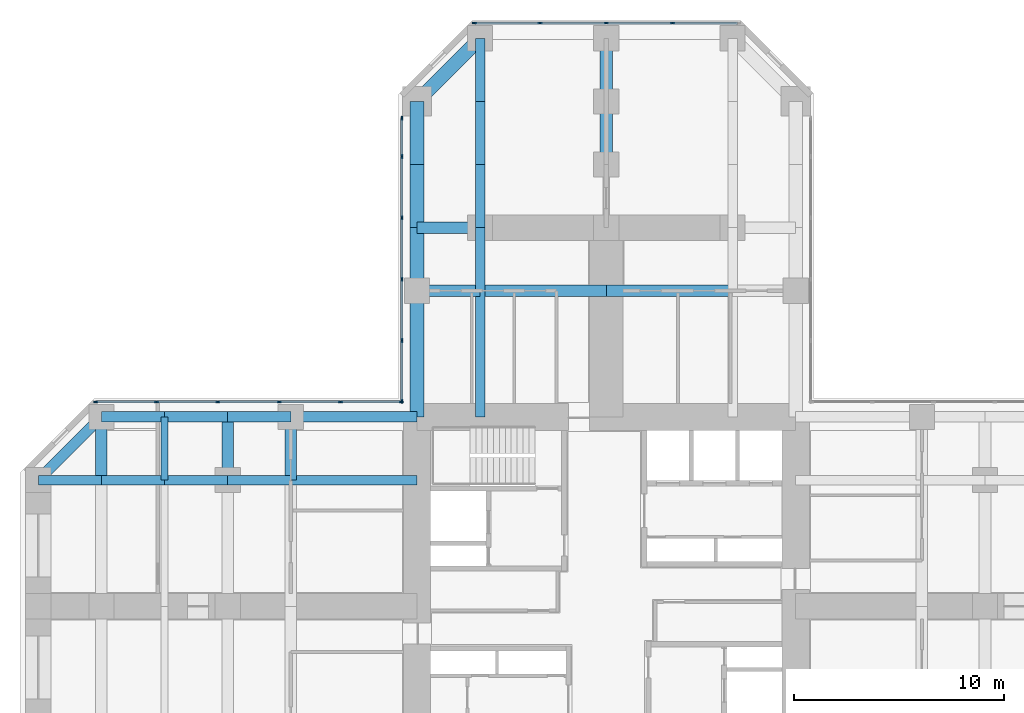
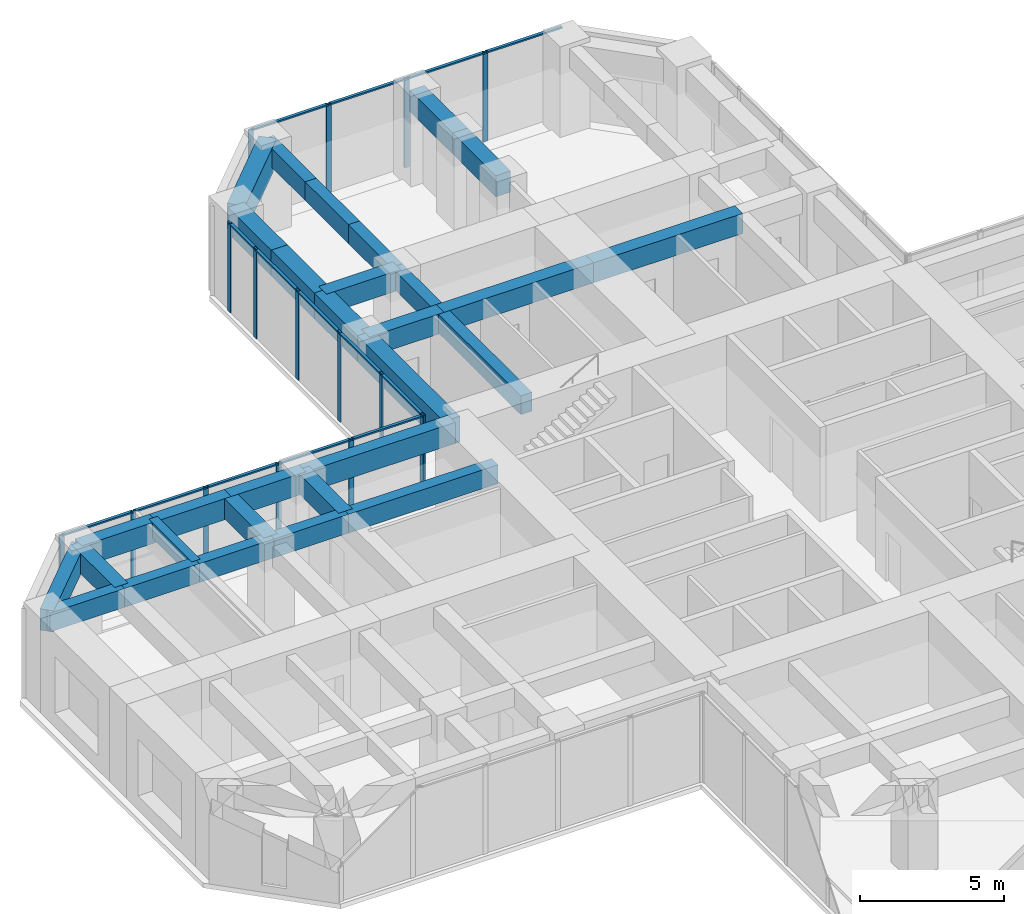
# One storey, part 5 of 12: 30 beams, 30 members, 3 elements without a shape of their own.
"""IFC4 building model written with IfcOpenShell, lengths in metres."""

from ifc_helpers import new_model, si_unit, direction, frame, origin, origin_2d, place, context, subcontext, project, spatial, rectangle, extrude, material, material_profile, profile_set, type_object, element, aggregate, save


model = new_model("IFC4")

# Units and contexts
model_context = context("Model", 3, precision=1e-05, world=origin(), true_north=direction((0.0, 1.0)))
body_context = subcontext(model_context, "Body", "Model", "MODEL_VIEW")
ifc_project = project(units=[si_unit("LENGTHUNIT", "METRE"), si_unit("AREAUNIT", "SQUARE_METRE"), si_unit("VOLUMEUNIT", "CUBIC_METRE"), si_unit("PLANEANGLEUNIT", "RADIAN"), si_unit("MASSUNIT", "GRAM", prefix="KILO")], contexts=[model_context])

# Site, building, storey
site_placement = place(None, origin())
site = spatial("IfcSite", under=ifc_project, at=site_placement, CompositionType="ELEMENT")
building_placement = place(site_placement, origin())
building = spatial("IfcBuilding", under=site, at=building_placement, Name="Torre Cruceta", CompositionType="ELEMENT")
storey_placement = place(building_placement, frame((0.0, 0.0, 83.5)))
storey = spatial("IfcBuildingStorey", under=building, at=storey_placement, Name="L20", CompositionType="ELEMENT", Elevation=83.5)

# Beams
ifc_material_1 = material(Name="Concrete G60 (fck 60 MPa)", Category="concrete")
ifc_material_profile_1 = material_profile(ifc_material_1, rectangle(XDim=0.60009765625, YDim=0.89990234375, at=origin_2d()), Name="RC 600X900")
ifc_profile_set_1 = profile_set([ifc_material_profile_1], Name="Concrete G60 (fck 60 MPa)")
beam_type_1 = type_object("IfcBeamType", Name="ARM CENTRE BEAM RC 600X900", PredefinedType="BEAM", material=ifc_profile_set_1)
for number, where, z_axis, x_axis, name in (
    (1, (0.0, 21.0, 3.35009765625), (0.0, 1.0, 0.0), (-1.0, 0.0, 0.0), "MB3 L20 N centre 1"),
    (2, (0.0, 24.0, 3.35009765625), (0.0, 1.0, 0.0), (-1.0, 0.0, 0.0), "MB3 L20 N centre 2"),
):
    element("IfcBeam", number, at=place(storey_placement, frame(where, z_axis=z_axis, x_axis=x_axis)), inside=storey, type_object=beam_type_1, Name=name, PredefinedType="BEAM", context=body_context, shape_type="SweptSolid", body=[
        extrude(rectangle(XDim=0.60009765625, YDim=0.89990234375, at=origin_2d()), origin(), (0.0, 0.0, 1.0), 3.0),
    ])
ifc_material_2 = material(Name="Concrete G60 (fck 60 MPa)", Category="concrete")
ifc_material_profile_2 = material_profile(ifc_material_2, rectangle(XDim=0.449951171875, YDim=0.800048828125, at=origin_2d()), Name="RC 450X800")
ifc_profile_set_2 = profile_set([ifc_material_profile_2], Name="Concrete G60 (fck 60 MPa)")
beam_type_2 = type_object("IfcBeamType", Name="COLUMN LINE BEAM RC 450X800", PredefinedType="BEAM", material=ifc_profile_set_2)
beam_1_placement = place(storey_placement, frame((-6.0, 9.0, 3.39990234375), z_axis=(0.0, 1.0, 0.0), x_axis=(-1.0, 0.0, 0.0)))
element("IfcBeam", 3, at=beam_1_placement, inside=storey, type_object=beam_type_2, Name="LB1 L20 N col+ 1", PredefinedType="BEAM", context=body_context, shape_type="SweptSolid", body=[
    extrude(rectangle(XDim=0.449951171875, YDim=0.800048828125, at=origin_2d()), origin(), (0.0, 0.0, 1.0), 6.0),
])
for number, where, z_axis, x_axis, name in (
    (4, (-6.0, 15.0, 3.39990234375), (0.0, 1.0, 0.0), (-1.0, 0.0, 0.0), "LB1 L20 N col+ 2"),
    (5, (-6.0, 18.0, 3.39990234375), (0.0, 1.0, 0.0), (-1.0, 0.0, 0.0), "LB1 L20 N col+ 3"),
    (6, (-6.0, 21.0, 3.39990234375), (0.0, 1.0, 0.0), (-1.0, 0.0, 0.0), "LB1 L20 N col+ 4"),
    (7, (-6.0, 24.0, 3.39990234375), (0.0, 1.0, 0.0), (-1.0, 0.0, 0.0), "LB1 L20 N col+ 5"),
):
    element("IfcBeam", number, at=place(storey_placement, frame(where, z_axis=z_axis, x_axis=x_axis)), inside=storey, type_object=beam_type_2, Name=name, PredefinedType="BEAM", context=body_context, shape_type="SweptSolid", body=[
        extrude(rectangle(XDim=0.449951171875, YDim=0.800048828125, at=origin_2d()), origin(), (0.0, 0.0, 1.0), 3.0),
    ])
beam_2_placement = place(storey_placement, frame((-9.0, 6.0, 3.39990234375), z_axis=(-1.0, 0.0, 0.0), x_axis=(0.0, -1.0, 0.0)))
element("IfcBeam", 8, at=beam_2_placement, inside=storey, type_object=beam_type_2, Name="LB1 L20 W col- 1", PredefinedType="BEAM", context=body_context, shape_type="SweptSolid", body=[
    extrude(rectangle(XDim=0.449951171875, YDim=0.800048828125, at=origin_2d()), origin(), (0.0, 0.0, 1.0), 6.0),
])
for number, where, z_axis, x_axis, name in (
    (9, (-15.0, 6.0, 3.39990234375), (-1.0, 0.0, 0.0), (0.0, -1.0, 0.0), "LB1 L20 W col- 2"),
    (10, (-18.0, 6.0, 3.39990234375), (-1.0, 0.0, 0.0), (0.0, -1.0, 0.0), "LB1 L20 W col- 3"),
    (11, (-21.0, 6.0, 3.39990234375), (-1.0, 0.0, 0.0), (0.0, -1.0, 0.0), "LB1 L20 W col- 4"),
    (12, (-24.0, 6.0, 3.39990234375), (-1.0, 0.0, 0.0), (0.0, -1.0, 0.0), "LB1 L20 W col- 5"),
):
    element("IfcBeam", number, at=place(storey_placement, frame(where, z_axis=z_axis, x_axis=x_axis)), inside=storey, type_object=beam_type_2, Name=name, PredefinedType="BEAM", context=body_context, shape_type="SweptSolid", body=[
        extrude(rectangle(XDim=0.449951171875, YDim=0.800048828125, at=origin_2d()), origin(), (0.0, 0.0, 1.0), 3.0),
    ])
ifc_material_3 = material(Name="Concrete G60 (fck 60 MPa)", Category="concrete")
ifc_material_profile_3 = material_profile(ifc_material_3, rectangle(XDim=0.550048828125, YDim=0.85009765625, at=origin_2d()), Name="RC 550X850")
ifc_profile_set_3 = profile_set([ifc_material_profile_3], Name="Concrete G60 (fck 60 MPa)")
beam_type_3 = type_object("IfcBeamType", Name="CROSS BEAM RC 550X850", PredefinedType="BEAM", material=ifc_profile_set_3)
for number, where, z_axis, x_axis, name in (
    (13, (6.0, 15.0, 3.375), (-1.0, 0.0, 0.0), (0.0, -1.0, 0.0), "GB4 L20 N cross15 2"),
    (14, (0.0, 15.0, 3.375), (-1.0, 0.0, 0.0), (0.0, -1.0, 0.0), "GB4 L20 N cross15 3"),
):
    element("IfcBeam", number, at=place(storey_placement, frame(where, z_axis=z_axis, x_axis=x_axis)), inside=storey, type_object=beam_type_3, Name=name, PredefinedType="BEAM", context=body_context, shape_type="SweptSolid", body=[
        extrude(rectangle(XDim=0.550048828125, YDim=0.85009765625, at=origin_2d()), origin(), (0.0, 0.0, 1.0), 6.0),
    ])
for number, where, z_axis, x_axis, name in (
    (15, (-6.0, 15.0, 3.375), (-1.0, 0.0, 0.0), (0.0, -1.0, 0.0), "GB4 L20 N cross15 4"),
    (16, (-6.0, 18.0, 3.375), (-1.0, 0.0, 0.0), (0.0, -1.0, 0.0), "GB4 L20 N cross18b 1"),
    (17, (-15.0, 9.0, 3.375), (0.0, -1.0, 0.0), (1.0, 0.0, 0.0), "GB4 L20 W cross15 1"),
    (18, (-18.0, 9.0, 3.375), (0.0, -1.0, 0.0), (1.0, 0.0, 0.0), "GB4 L20 W cross18 1"),
    (19, (-24.0, 9.0, 3.375), (0.0, -1.0, 0.0), (1.0, 0.0, 0.0), "GB4 L20 W cross24 1"),
):
    element("IfcBeam", number, at=place(storey_placement, frame(where, z_axis=z_axis, x_axis=x_axis)), inside=storey, type_object=beam_type_3, Name=name, PredefinedType="BEAM", context=body_context, shape_type="SweptSolid", body=[
        extrude(rectangle(XDim=0.550048828125, YDim=0.85009765625, at=origin_2d()), origin(), (0.0, 0.0, 1.0), 3.0),
    ])

# Curtain wall, members
ifc_material_4 = material(Name="Aluminium unitised curtain wall", Category="aluminium")
curtain_wall_type = type_object("IfcCurtainWallType", Name="CURTAIN WALL CW-A OFFICE LOW RISE", PredefinedType="USERDEFINED", material=ifc_material_4)
curtain_wall_1_placement = place(storey_placement, origin())
curtain_wall_1 = element("IfcCurtainWall", 20, at=curtain_wall_1_placement, inside=storey, type_object=curtain_wall_type, Name="CW-A L20 N tip 07", ObjectType="UNITISED", PredefinedType="USERDEFINED")
ifc_material_5 = material(Name="Aluminium mullion", Category="aluminium")
ifc_material_profile_4 = material_profile(ifc_material_5, rectangle(XDim=0.06494140625, YDim=0.199951171875, at=origin_2d()), Name="AL 65X200")
ifc_profile_set_4 = profile_set([ifc_material_profile_4], Name="Aluminium mullion")
member_type_1 = type_object("IfcMemberType", Name="CW-A MULLION 65X200", PredefinedType="MULLION", material=ifc_profile_set_4)
member_1_placement = place(storey_placement, frame((3.149169921875, 27.719970703125, 0.0), z_axis=(0.0, 0.0, 1.0), x_axis=(0.0, -1.0, 0.0)))
member_1 = element("IfcMember", 21, at=member_1_placement, type_object=member_type_1, Name="CW-A mullion 2", PredefinedType="MULLION", context=body_context, shape_type="SweptSolid", body=[
    extrude(rectangle(XDim=0.06494140625, YDim=0.199951171875, at=origin_2d()), origin(), (0.0, 0.0, 1.0), 3.800048828125),
])
member_2_placement = place(storey_placement, frame((0.0, 27.719970703125, 0.0), z_axis=(0.0, 0.0, 1.0), x_axis=(0.0, -1.0, 0.0)))
member_2 = element("IfcMember", 22, at=member_2_placement, type_object=member_type_1, Name="CW-A mullion 3", PredefinedType="MULLION", context=body_context, shape_type="SweptSolid", body=[
    extrude(rectangle(XDim=0.06494140625, YDim=0.199951171875, at=origin_2d()), origin(), (0.0, 0.0, 1.0), 3.800048828125),
])
member_3_placement = place(storey_placement, frame((-3.149169921875, 27.719970703125, 0.0), z_axis=(0.0, 0.0, 1.0), x_axis=(0.0, -1.0, 0.0)))
member_3 = element("IfcMember", 23, at=member_3_placement, type_object=member_type_1, Name="CW-A mullion 4", PredefinedType="MULLION", context=body_context, shape_type="SweptSolid", body=[
    extrude(rectangle(XDim=0.06494140625, YDim=0.199951171875, at=origin_2d()), origin(), (0.0, 0.0, 1.0), 3.800048828125),
])
member_4_placement = place(storey_placement, frame((-6.265625, 27.719970703125, 0.0), z_axis=(0.0, 0.0, 1.0), x_axis=(0.0, -1.0, 0.0)))
member_4 = element("IfcMember", 24, at=member_4_placement, type_object=member_type_1, Name="CW-A mullion 5", PredefinedType="MULLION", context=body_context, shape_type="SweptSolid", body=[
    extrude(rectangle(XDim=0.06494140625, YDim=0.199951171875, at=origin_2d()), origin(), (0.0, 0.0, 1.0), 3.800048828125),
])

curtain_wall_2_placement = place(storey_placement, origin())
curtain_wall_2 = element("IfcCurtainWall", 25, at=curtain_wall_2_placement, inside=storey, type_object=curtain_wall_type, Name="CW-A L20 N side 09", ObjectType="UNITISED", PredefinedType="USERDEFINED")
member_5_placement = place(storey_placement, frame((-9.719970703125, 23.198974609375, 0.0), z_axis=(0.0, 0.0, 1.0), x_axis=(1.0, 0.0, 0.0)))
member_5 = element("IfcMember", 26, at=member_5_placement, type_object=member_type_1, Name="CW-A mullion 1", PredefinedType="MULLION", context=body_context, shape_type="SweptSolid", body=[
    extrude(rectangle(XDim=0.06494140625, YDim=0.199951171875, at=origin_2d()), origin(), (0.0, 0.0, 1.0), 3.800048828125),
])
member_6_placement = place(storey_placement, frame((-9.719970703125, 21.382568359375, 0.0), z_axis=(0.0, 0.0, 1.0), x_axis=(1.0, 0.0, 0.0)))
member_6 = element("IfcMember", 27, at=member_6_placement, type_object=member_type_1, Name="CW-A mullion 2", PredefinedType="MULLION", context=body_context, shape_type="SweptSolid", body=[
    extrude(rectangle(XDim=0.06494140625, YDim=0.199951171875, at=origin_2d()), origin(), (0.0, 0.0, 1.0), 3.800048828125),
])
member_7_placement = place(storey_placement, frame((-9.719970703125, 18.467041015625, 0.0), z_axis=(0.0, 0.0, 1.0), x_axis=(1.0, 0.0, 0.0)))
member_7 = element("IfcMember", 28, at=member_7_placement, type_object=member_type_1, Name="CW-A mullion 3", PredefinedType="MULLION", context=body_context, shape_type="SweptSolid", body=[
    extrude(rectangle(XDim=0.06494140625, YDim=0.199951171875, at=origin_2d()), origin(), (0.0, 0.0, 1.0), 3.800048828125),
])
member_8_placement = place(storey_placement, frame((-9.719970703125, 15.55126953125, 0.0), z_axis=(0.0, 0.0, 1.0), x_axis=(1.0, 0.0, 0.0)))
member_8 = element("IfcMember", 29, at=member_8_placement, type_object=member_type_1, Name="CW-A mullion 4", PredefinedType="MULLION", context=body_context, shape_type="SweptSolid", body=[
    extrude(rectangle(XDim=0.06494140625, YDim=0.199951171875, at=origin_2d()), origin(), (0.0, 0.0, 1.0), 3.800048828125),
])
member_9_placement = place(storey_placement, frame((-9.719970703125, 12.6357421875, 0.0), z_axis=(0.0, 0.0, 1.0), x_axis=(1.0, 0.0, 0.0)))
member_9 = element("IfcMember", 30, at=member_9_placement, type_object=member_type_1, Name="CW-A mullion 5", PredefinedType="MULLION", context=body_context, shape_type="SweptSolid", body=[
    extrude(rectangle(XDim=0.06494140625, YDim=0.199951171875, at=origin_2d()), origin(), (0.0, 0.0, 1.0), 3.800048828125),
])
member_10_placement = place(storey_placement, frame((-9.719970703125, 9.75244140625, 0.0), z_axis=(0.0, 0.0, 1.0), x_axis=(1.0, 0.0, 0.0)))
member_10 = element("IfcMember", 31, at=member_10_placement, type_object=member_type_1, Name="CW-A mullion 6", PredefinedType="MULLION", context=body_context, shape_type="SweptSolid", body=[
    extrude(rectangle(XDim=0.06494140625, YDim=0.199951171875, at=origin_2d()), origin(), (0.0, 0.0, 1.0), 3.800048828125),
])

curtain_wall_3_placement = place(storey_placement, origin())
curtain_wall_3 = element("IfcCurtainWall", 32, at=curtain_wall_3_placement, inside=storey, type_object=curtain_wall_type, Name="CW-A L20 W side 10", ObjectType="UNITISED", PredefinedType="USERDEFINED")
member_11_placement = place(storey_placement, frame((-9.75244140625, 9.719970703125, 0.0), z_axis=(0.0, 0.0, 1.0), x_axis=(0.0, -1.0, 0.0)))
member_11 = element("IfcMember", 33, at=member_11_placement, type_object=member_type_1, Name="CW-A mullion 1", PredefinedType="MULLION", context=body_context, shape_type="SweptSolid", body=[
    extrude(rectangle(XDim=0.06494140625, YDim=0.199951171875, at=origin_2d()), origin(), (0.0, 0.0, 1.0), 3.800048828125),
])
member_12_placement = place(storey_placement, frame((-12.6357421875, 9.719970703125, 0.0), z_axis=(0.0, 0.0, 1.0), x_axis=(0.0, -1.0, 0.0)))
member_12 = element("IfcMember", 34, at=member_12_placement, type_object=member_type_1, Name="CW-A mullion 2", PredefinedType="MULLION", context=body_context, shape_type="SweptSolid", body=[
    extrude(rectangle(XDim=0.06494140625, YDim=0.199951171875, at=origin_2d()), origin(), (0.0, 0.0, 1.0), 3.800048828125),
])
member_13_placement = place(storey_placement, frame((-15.55126953125, 9.719970703125, 0.0), z_axis=(0.0, 0.0, 1.0), x_axis=(0.0, -1.0, 0.0)))
member_13 = element("IfcMember", 35, at=member_13_placement, type_object=member_type_1, Name="CW-A mullion 3", PredefinedType="MULLION", context=body_context, shape_type="SweptSolid", body=[
    extrude(rectangle(XDim=0.06494140625, YDim=0.199951171875, at=origin_2d()), origin(), (0.0, 0.0, 1.0), 3.800048828125),
])
member_14_placement = place(storey_placement, frame((-18.467041015625, 9.719970703125, 0.0), z_axis=(0.0, 0.0, 1.0), x_axis=(0.0, -1.0, 0.0)))
member_14 = element("IfcMember", 36, at=member_14_placement, type_object=member_type_1, Name="CW-A mullion 4", PredefinedType="MULLION", context=body_context, shape_type="SweptSolid", body=[
    extrude(rectangle(XDim=0.06494140625, YDim=0.199951171875, at=origin_2d()), origin(), (0.0, 0.0, 1.0), 3.800048828125),
])
member_15_placement = place(storey_placement, frame((-21.382568359375, 9.719970703125, 0.0), z_axis=(0.0, 0.0, 1.0), x_axis=(0.0, -1.0, 0.0)))
member_15 = element("IfcMember", 37, at=member_15_placement, type_object=member_type_1, Name="CW-A mullion 5", PredefinedType="MULLION", context=body_context, shape_type="SweptSolid", body=[
    extrude(rectangle(XDim=0.06494140625, YDim=0.199951171875, at=origin_2d()), origin(), (0.0, 0.0, 1.0), 3.800048828125),
])
member_16_placement = place(storey_placement, frame((-24.265625, 9.719970703125, 0.0), z_axis=(0.0, 0.0, 1.0), x_axis=(0.0, -1.0, 0.0)))
member_16 = element("IfcMember", 38, at=member_16_placement, type_object=member_type_1, Name="CW-A mullion 6", PredefinedType="MULLION", context=body_context, shape_type="SweptSolid", body=[
    extrude(rectangle(XDim=0.06494140625, YDim=0.199951171875, at=origin_2d()), origin(), (0.0, 0.0, 1.0), 3.800048828125),
])

# Member
ifc_material_6 = material(Name="Aluminium transom", Category="aluminium")
ifc_material_profile_5 = material_profile(ifc_material_6, rectangle(XDim=0.1201171875, YDim=0.06494140625, at=origin_2d()), Name="AL 120X65")
ifc_profile_set_5 = profile_set([ifc_material_profile_5], Name="Aluminium transom")
member_type_2 = type_object("IfcMemberType", Name="CW-A TRANSOM 65X120", PredefinedType="USERDEFINED", material=ifc_profile_set_5)
member_17_placement = place(storey_placement, frame((6.233154296875, 27.719970703125, 3.767578125), z_axis=(-1.0, 0.0, 0.0), x_axis=(0.0, -1.0, 0.0)))
member_17 = element("IfcMember", 39, at=member_17_placement, type_object=member_type_2, Name="CW-A transom 1", ObjectType="TRANSOM", PredefinedType="USERDEFINED", context=body_context, shape_type="SweptSolid", body=[
    extrude(rectangle(XDim=0.1201171875, YDim=0.06494140625, at=origin_2d()), origin(), (0.0, 0.0, 1.0), 3.051513671875),
])

member_18_placement = place(storey_placement, frame((3.11669921875, 27.719970703125, 3.767578125), z_axis=(-1.0, 0.0, 0.0), x_axis=(0.0, -1.0, 0.0)))
member_18 = element("IfcMember", 40, at=member_18_placement, type_object=member_type_2, Name="CW-A transom 2", ObjectType="TRANSOM", PredefinedType="USERDEFINED", context=body_context, shape_type="SweptSolid", body=[
    extrude(rectangle(XDim=0.1201171875, YDim=0.06494140625, at=origin_2d()), origin(), (0.0, 0.0, 1.0), 3.084228515625),
])

member_19_placement = place(storey_placement, frame((-0.032470703125, 27.719970703125, 3.767578125), z_axis=(-1.0, 0.0, 0.0), x_axis=(0.0, -1.0, 0.0)))
member_19 = element("IfcMember", 41, at=member_19_placement, type_object=member_type_2, Name="CW-A transom 3", ObjectType="TRANSOM", PredefinedType="USERDEFINED", context=body_context, shape_type="SweptSolid", body=[
    extrude(rectangle(XDim=0.1201171875, YDim=0.06494140625, at=origin_2d()), origin(), (0.0, 0.0, 1.0), 3.084228515625),
])

member_20_placement = place(storey_placement, frame((-3.181640625, 27.719970703125, 3.767578125), z_axis=(-1.0, 0.0, 0.0), x_axis=(0.0, -1.0, 0.0)))
member_20 = element("IfcMember", 42, at=member_20_placement, type_object=member_type_2, Name="CW-A transom 4", ObjectType="TRANSOM", PredefinedType="USERDEFINED", context=body_context, shape_type="SweptSolid", body=[
    extrude(rectangle(XDim=0.1201171875, YDim=0.06494140625, at=origin_2d()), origin(), (0.0, 0.0, 1.0), 3.051513671875),
])

aggregate(curtain_wall_1, [member_1, member_2, member_3, member_4, member_17, member_18, member_19, member_20])

member_21_placement = place(storey_placement, frame((-9.719970703125, 23.16650390625, 3.767578125), z_axis=(0.0, -1.0, 0.0), x_axis=(1.0, 0.0, 0.0)))
member_21 = element("IfcMember", 43, at=member_21_placement, type_object=member_type_2, Name="CW-A transom 1", ObjectType="TRANSOM", PredefinedType="USERDEFINED", context=body_context, shape_type="SweptSolid", body=[
    extrude(rectangle(XDim=0.1201171875, YDim=0.06494140625, at=origin_2d()), origin(), (0.0, 0.0, 1.0), 1.75146484375),
])

member_22_placement = place(storey_placement, frame((-9.719970703125, 21.35009765625, 3.767578125), z_axis=(0.0, -1.0, 0.0), x_axis=(1.0, 0.0, 0.0)))
member_22 = element("IfcMember", 44, at=member_22_placement, type_object=member_type_2, Name="CW-A transom 2", ObjectType="TRANSOM", PredefinedType="USERDEFINED", context=body_context, shape_type="SweptSolid", body=[
    extrude(rectangle(XDim=0.1201171875, YDim=0.06494140625, at=origin_2d()), origin(), (0.0, 0.0, 1.0), 2.8505859375),
])

member_23_placement = place(storey_placement, frame((-9.719970703125, 18.434326171875, 3.767578125), z_axis=(0.0, -1.0, 0.0), x_axis=(1.0, 0.0, 0.0)))
member_23 = element("IfcMember", 45, at=member_23_placement, type_object=member_type_2, Name="CW-A transom 3", ObjectType="TRANSOM", PredefinedType="USERDEFINED", context=body_context, shape_type="SweptSolid", body=[
    extrude(rectangle(XDim=0.1201171875, YDim=0.06494140625, at=origin_2d()), origin(), (0.0, 0.0, 1.0), 2.8505859375),
])

member_24_placement = place(storey_placement, frame((-9.719970703125, 15.518798828125, 3.767578125), z_axis=(0.0, -1.0, 0.0), x_axis=(1.0, 0.0, 0.0)))
member_24 = element("IfcMember", 46, at=member_24_placement, type_object=member_type_2, Name="CW-A transom 4", ObjectType="TRANSOM", PredefinedType="USERDEFINED", context=body_context, shape_type="SweptSolid", body=[
    extrude(rectangle(XDim=0.1201171875, YDim=0.06494140625, at=origin_2d()), origin(), (0.0, 0.0, 1.0), 2.8505859375),
])

member_25_placement = place(storey_placement, frame((-9.719970703125, 12.60302734375, 3.767578125), z_axis=(0.0, -1.0, 0.0), x_axis=(1.0, 0.0, 0.0)))
member_25 = element("IfcMember", 47, at=member_25_placement, type_object=member_type_2, Name="CW-A transom 5", ObjectType="TRANSOM", PredefinedType="USERDEFINED", context=body_context, shape_type="SweptSolid", body=[
    extrude(rectangle(XDim=0.1201171875, YDim=0.06494140625, at=origin_2d()), origin(), (0.0, 0.0, 1.0), 2.818115234375),
])

aggregate(curtain_wall_2, [member_5, member_6, member_7, member_8, member_9, member_10, member_21, member_22, member_23, member_24, member_25])

member_26_placement = place(storey_placement, frame((-9.784912109375, 9.719970703125, 3.767578125), z_axis=(-1.0, 0.0, 0.0), x_axis=(0.0, -1.0, 0.0)))
member_26 = element("IfcMember", 48, at=member_26_placement, type_object=member_type_2, Name="CW-A transom 1", ObjectType="TRANSOM", PredefinedType="USERDEFINED", context=body_context, shape_type="SweptSolid", body=[
    extrude(rectangle(XDim=0.1201171875, YDim=0.06494140625, at=origin_2d()), origin(), (0.0, 0.0, 1.0), 2.818115234375),
])

member_27_placement = place(storey_placement, frame((-12.668212890625, 9.719970703125, 3.767578125), z_axis=(-1.0, 0.0, 0.0), x_axis=(0.0, -1.0, 0.0)))
member_27 = element("IfcMember", 49, at=member_27_placement, type_object=member_type_2, Name="CW-A transom 2", ObjectType="TRANSOM", PredefinedType="USERDEFINED", context=body_context, shape_type="SweptSolid", body=[
    extrude(rectangle(XDim=0.1201171875, YDim=0.06494140625, at=origin_2d()), origin(), (0.0, 0.0, 1.0), 2.8505859375),
])

member_28_placement = place(storey_placement, frame((-15.583740234375, 9.719970703125, 3.767578125), z_axis=(-1.0, 0.0, 0.0), x_axis=(0.0, -1.0, 0.0)))
member_28 = element("IfcMember", 50, at=member_28_placement, type_object=member_type_2, Name="CW-A transom 3", ObjectType="TRANSOM", PredefinedType="USERDEFINED", context=body_context, shape_type="SweptSolid", body=[
    extrude(rectangle(XDim=0.1201171875, YDim=0.06494140625, at=origin_2d()), origin(), (0.0, 0.0, 1.0), 2.8505859375),
])

member_29_placement = place(storey_placement, frame((-18.49951171875, 9.719970703125, 3.767578125), z_axis=(-1.0, 0.0, 0.0), x_axis=(0.0, -1.0, 0.0)))
member_29 = element("IfcMember", 51, at=member_29_placement, type_object=member_type_2, Name="CW-A transom 4", ObjectType="TRANSOM", PredefinedType="USERDEFINED", context=body_context, shape_type="SweptSolid", body=[
    extrude(rectangle(XDim=0.1201171875, YDim=0.06494140625, at=origin_2d()), origin(), (0.0, 0.0, 1.0), 2.8505859375),
])

member_30_placement = place(storey_placement, frame((-21.4150390625, 9.719970703125, 3.767578125), z_axis=(-1.0, 0.0, 0.0), x_axis=(0.0, -1.0, 0.0)))
member_30 = element("IfcMember", 52, at=member_30_placement, type_object=member_type_2, Name="CW-A transom 5", ObjectType="TRANSOM", PredefinedType="USERDEFINED", context=body_context, shape_type="SweptSolid", body=[
    extrude(rectangle(XDim=0.1201171875, YDim=0.06494140625, at=origin_2d()), origin(), (0.0, 0.0, 1.0), 2.818115234375),
])

aggregate(curtain_wall_3, [member_11, member_12, member_13, member_14, member_15, member_16, member_26, member_27, member_28, member_29, member_30])

# Beams
ifc_material_7 = material(Name="Concrete G60 (fck 60 MPa)", Category="concrete")
ifc_material_profile_6 = material_profile(ifc_material_7, rectangle(XDim=0.35009765625, YDim=0.64990234375, at=origin_2d()), Name="RC 350X650")
ifc_profile_set_6 = profile_set([ifc_material_profile_6], Name="Concrete G60 (fck 60 MPa)")
beam_type_4 = type_object("IfcBeamType", Name="SECONDARY BEAM RC 350X650", PredefinedType="JOIST", material=ifc_profile_set_6)
beam_3_placement = place(storey_placement, frame((-21.0, 9.0, 3.47509765625), z_axis=(0.0, -1.0, 0.0), x_axis=(1.0, 0.0, 0.0)))
element("IfcBeam", 53, at=beam_3_placement, inside=storey, type_object=beam_type_4, Name="JB3 L20 W sec21 1", PredefinedType="JOIST", context=body_context, shape_type="SweptSolid", body=[
    extrude(rectangle(XDim=0.35009765625, YDim=0.64990234375, at=origin_2d()), origin(), (0.0, 0.0, 1.0), 3.0),
])
ifc_material_8 = material(Name="Concrete G60 (fck 60 MPa)", Category="concrete")
ifc_material_profile_7 = material_profile(ifc_material_8, rectangle(XDim=0.5, YDim=0.89990234375, at=origin_2d()), Name="RC 500X900")
ifc_profile_set_7 = profile_set([ifc_material_profile_7], Name="Concrete G60 (fck 60 MPa)")
beam_type_5 = type_object("IfcBeamType", Name="SPANDREL BEAM RC 500X900", PredefinedType="SPANDREL", material=ifc_profile_set_7)
beam_4_placement = place(storey_placement, frame((-9.0, 9.0, 3.35009765625), z_axis=(-1.0, 0.0, 0.0), x_axis=(0.0, -1.0, 0.0)))
element("IfcBeam", 54, at=beam_4_placement, inside=storey, type_object=beam_type_5, Name="SB4 L20 W side- 1", PredefinedType="SPANDREL", context=body_context, shape_type="SweptSolid", body=[
    extrude(rectangle(XDim=0.5, YDim=0.89990234375, at=origin_2d()), origin(), (0.0, 0.0, 1.0), 6.0),
])
for number, where, z_axis, x_axis, name in (
    (55, (-15.0, 9.0, 3.35009765625), (-1.0, 0.0, 0.0), (0.0, -1.0, 0.0), "SB4 L20 W side- 2"),
    (56, (-18.0, 9.0, 3.35009765625), (-1.0, 0.0, 0.0), (0.0, -1.0, 0.0), "SB4 L20 W side- 3"),
    (57, (-21.0, 9.0, 3.35009765625), (-1.0, 0.0, 0.0), (0.0, -1.0, 0.0), "SB4 L20 W side- 4"),
):
    element("IfcBeam", number, at=place(storey_placement, frame(where, z_axis=z_axis, x_axis=x_axis)), inside=storey, type_object=beam_type_5, Name=name, PredefinedType="SPANDREL", context=body_context, shape_type="SweptSolid", body=[
        extrude(rectangle(XDim=0.5, YDim=0.89990234375, at=origin_2d()), origin(), (0.0, 0.0, 1.0), 3.0),
    ])
beam_5_placement = place(storey_placement, frame((-24.0, 9.0, 3.35009765625), z_axis=(-0.707106781187, -0.707106781187, 0.0), x_axis=(0.707106781187, -0.707106781187, 0.0)))
element("IfcBeam", 58, at=beam_5_placement, inside=storey, type_object=beam_type_5, Name="SB4 L20 W side- 5", PredefinedType="SPANDREL", context=body_context, shape_type="SweptSolid", body=[
    extrude(rectangle(XDim=0.5, YDim=0.89990234375, at=origin_2d()), origin(), (0.0, 0.0, 1.0), 4.24267578125),
])
ifc_material_9 = material(Name="Concrete G60 (fck 60 MPa)", Category="concrete")
ifc_material_profile_8 = material_profile(ifc_material_9, rectangle(XDim=0.64990234375, YDim=1.10009765625, at=origin_2d()), Name="RC 650X1100")
ifc_profile_set_8 = profile_set([ifc_material_profile_8], Name="Concrete G60 (fck 60 MPa)")
beam_type_6 = type_object("IfcBeamType", Name="SPANDREL BEAM RC 650X1100", PredefinedType="SPANDREL", material=ifc_profile_set_8)
beam_6_placement = place(storey_placement, frame((-9.0, 9.0, 3.25), z_axis=(0.0, 1.0, 0.0), x_axis=(-1.0, 0.0, 0.0)))
element("IfcBeam", 59, at=beam_6_placement, inside=storey, type_object=beam_type_6, Name="SB3 L20 N side+ 1", PredefinedType="SPANDREL", context=body_context, shape_type="SweptSolid", body=[
    extrude(rectangle(XDim=0.64990234375, YDim=1.10009765625, at=origin_2d()), origin(), (0.0, 0.0, 1.0), 6.0),
])
for number, where, z_axis, x_axis, name in (
    (60, (-9.0, 15.0, 3.25), (0.0, 1.0, 0.0), (-1.0, 0.0, 0.0), "SB3 L20 N side+ 2"),
    (61, (-9.0, 18.0, 3.25), (0.0, 1.0, 0.0), (-1.0, 0.0, 0.0), "SB3 L20 N side+ 3"),
    (62, (-9.0, 21.0, 3.25), (0.0, 1.0, 0.0), (-1.0, 0.0, 0.0), "SB3 L20 N side+ 4"),
):
    element("IfcBeam", number, at=place(storey_placement, frame(where, z_axis=z_axis, x_axis=x_axis)), inside=storey, type_object=beam_type_6, Name=name, PredefinedType="SPANDREL", context=body_context, shape_type="SweptSolid", body=[
        extrude(rectangle(XDim=0.64990234375, YDim=1.10009765625, at=origin_2d()), origin(), (0.0, 0.0, 1.0), 3.0),
    ])
beam_7_placement = place(storey_placement, frame((-9.0, 24.0, 3.25), z_axis=(0.707106781187, 0.707106781187, 0.0), x_axis=(-0.707106781187, 0.707106781187, 0.0)))
element("IfcBeam", 63, at=beam_7_placement, inside=storey, type_object=beam_type_6, Name="SB3 L20 N side+ 5", PredefinedType="SPANDREL", context=body_context, shape_type="SweptSolid", body=[
    extrude(rectangle(XDim=0.64990234375, YDim=1.10009765625, at=origin_2d()), origin(), (0.0, 0.0, 1.0), 4.24267578125),
])

save(model, "model.ifc")
